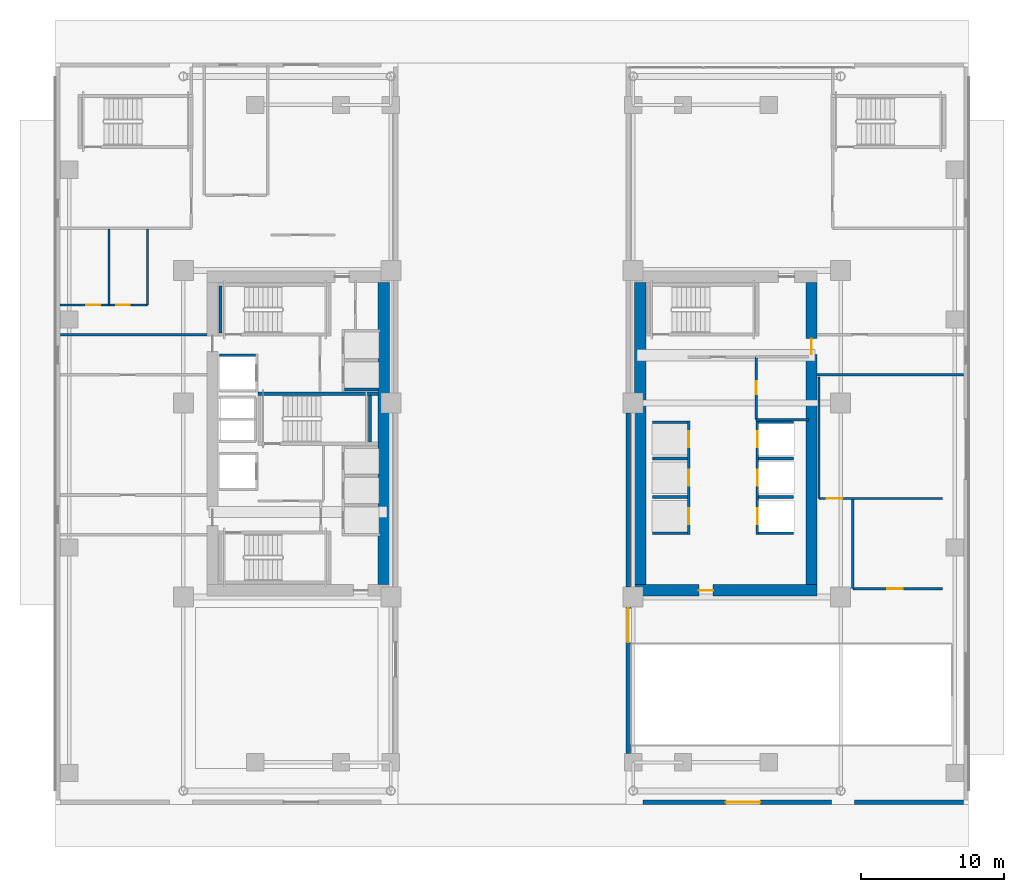
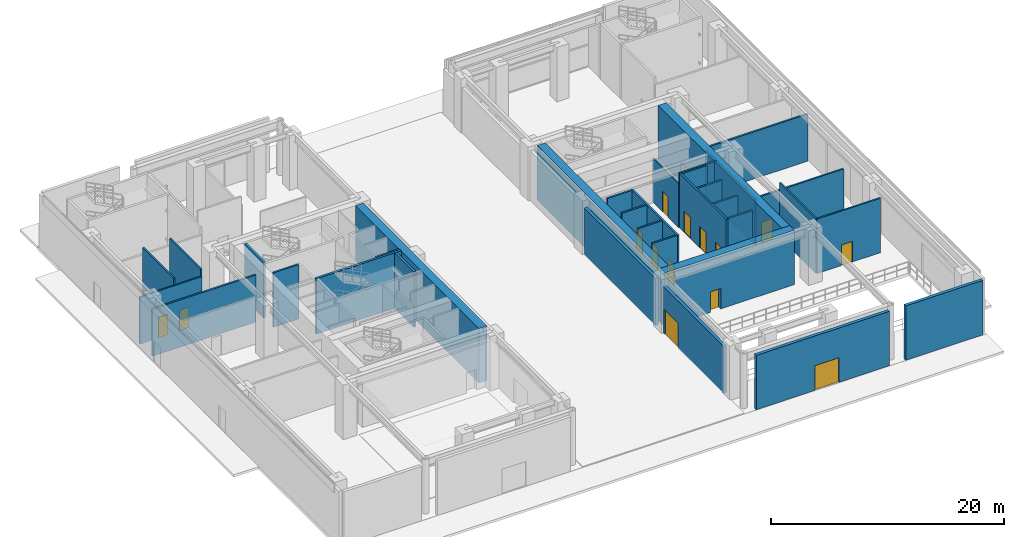
# One storey, part 6 of 17: 34 walls, 15 doors, 15 openings.
"""IFC4 building model written with IfcOpenShell, lengths in metres."""

from ifc_helpers import new_model, si_unit, direction, frame, frame_2d, origin, place, context, subcontext, project, spatial, rectangle, extrude, source, transform, mapped, material, layer, layer_set, type_object, element, fill, save


model = new_model("IFC4")

# Units and contexts
model_context = context("Model", 3, precision=1e-05, world=origin(), true_north=direction((0.0, 1.0)))
body_context = subcontext(model_context, "Body", "Model", "MODEL_VIEW")
ifc_project = project(units=[si_unit("LENGTHUNIT", "METRE"), si_unit("AREAUNIT", "SQUARE_METRE"), si_unit("VOLUMEUNIT", "CUBIC_METRE"), si_unit("PLANEANGLEUNIT", "RADIAN"), si_unit("MASSUNIT", "GRAM", prefix="KILO")], contexts=[model_context])

# Site, building, storey
site_placement = place(None, origin())
site = spatial("IfcSite", under=ifc_project, at=site_placement, CompositionType="ELEMENT")
building_placement = place(site_placement, origin())
building = spatial("IfcBuilding", under=site, at=building_placement, Name="Ocotamira Hotel", CompositionType="ELEMENT")
storey_placement = place(building_placement, origin())
storey = spatial("IfcBuildingStorey", under=building, at=storey_placement, Name="L01", CompositionType="ELEMENT", Elevation=0.0)

# Wall
ifc_material_1 = material(Name="Concrete C60/75", Category="concrete")
ifc_layer_1 = layer(ifc_material_1, 0.800048828125)
ifc_layer_set_1 = layer_set([ifc_layer_1], Name="Concrete C60/75")
wall_type_1 = type_object("IfcWallType", Name="WL-CORE-800", PredefinedType="SHEAR", material=ifc_layer_set_1)
wall_1_placement = place(storey_placement, frame((23.0, 15.39990234375, 0.0), z_axis=(0.0, 0.0, 1.0), x_axis=(0.0, 1.0, 0.0)))
element("IfcWall", 1, at=wall_1_placement, inside=storey, type_object=wall_type_1, Name="L01 Shear Core Wall WCORE-E", PredefinedType="SHEAR", context=body_context, shape_type="SweptSolid", body=[
    extrude(rectangle(XDim=21.2001953125, YDim=0.800048828125, at=frame_2d((10.60009765625, 0.0))), origin(), (0.0, 0.0, 1.0), 5.7099609375),
])

# Wall, opening, door
wall_2_placement = place(storey_placement, frame((40.60009765625, 15.0, 0.0), z_axis=(0.0, 0.0, 1.0), x_axis=(1.0, 0.0, 0.0)))
wall_2 = element("IfcWall", 2, at=wall_2_placement, inside=storey, type_object=wall_type_1, Name="L01 Shear Core Wall ECORE-S", PredefinedType="SHEAR", context=body_context, shape_type="SweptSolid", body=[
    extrude(rectangle(XDim=12.7998046875, YDim=0.800048828125, at=frame_2d((6.39990234375, 0.0))), origin(), (0.0, 0.0, 1.0), 5.7099609375),
])
opening_1_placement = place(wall_2_placement, frame((4.5, 0.0, 0.0)))
opening_1 = element("IfcOpeningElement", 3, at=opening_1_placement, cuts=wall_2, Name="Opening D-FR2", PredefinedType="OPENING", context=body_context, shape_type="SweptSolid", body=[
    extrude(rectangle(XDim=1.0, YDim=2.14990234375, at=frame_2d((0.5, 1.074951171875))), frame((0.0, 0.41015625, 0.0), z_axis=(0.0, -1.0, 0.0), x_axis=(1.0, 0.0, 0.0)), (0.0, 0.0, 1.0), 0.820068359375),
])
ifc_material_2 = material(Name="Fire-rated acoustic timber-veneer door", Category="wood")
door_type_1 = type_object("IfcDoorType", Name="DR-FIRE-1000", OperationType="NOTDEFINED", PredefinedType="DOOR", material=ifc_material_2)
shared_shape_1 = source(origin(), body_context, "Body", "SweptSolid", [
    extrude(rectangle(XDim=1.0, YDim=2.14990234375, at=frame_2d((0.5, 1.074951171875))), frame((0.0, 0.02490234375, 0.0), z_axis=(0.0, -1.0, 0.0), x_axis=(1.0, 0.0, 0.0)), (0.0, 0.0, 1.0), 0.050048828125),
])
door_1_placement = place(opening_1_placement, origin())
door_1 = element("IfcDoor", 4, at=door_1_placement, inside=storey, type_object=door_type_1, Name="L01 Door ID-L01-ELOB-S-D [ID-L01-ELOB-S-D]", OperationType="SINGLE_SWING_RIGHT", OverallHeight=2.14990234375, OverallWidth=1.0, PredefinedType="DOOR", context=body_context, shape_type="MappedRepresentation", body=[
    mapped(shared_shape_1, transform((0.0, 0.0, 0.0), scale=1.0)),
])
fill(opening_1, door_1)

# Wall
wall_3_placement = place(storey_placement, frame((41.0, 15.39990234375, 0.0), z_axis=(0.0, 0.0, 1.0), x_axis=(0.0, 1.0, 0.0)))
element("IfcWall", 5, at=wall_3_placement, inside=storey, type_object=wall_type_1, Name="L01 Shear Core Wall ECORE-W", PredefinedType="SHEAR", context=body_context, shape_type="SweptSolid", body=[
    extrude(rectangle(XDim=21.2001953125, YDim=0.800048828125, at=frame_2d((10.60009765625, 0.0))), origin(), (0.0, 0.0, 1.0), 5.7099609375),
])

# Wall, opening, door
wall_4_placement = place(storey_placement, frame((53.0, 15.39990234375, 0.0), z_axis=(0.0, 0.0, 1.0), x_axis=(0.0, 1.0, 0.0)))
wall_4 = element("IfcWall", 6, at=wall_4_placement, inside=storey, type_object=wall_type_1, Name="L01 Shear Core Wall ECORE-E", PredefinedType="SHEAR", context=body_context, shape_type="SweptSolid", body=[
    extrude(rectangle(XDim=21.2001953125, YDim=0.800048828125, at=frame_2d((10.60009765625, 0.0))), origin(), (0.0, 0.0, 1.0), 5.7099609375),
])
opening_2_placement = place(wall_4_placement, frame((16.14990234375, 0.0, 0.0)))
opening_2 = element("IfcOpeningElement", 7, at=opening_2_placement, cuts=wall_4, Name="Opening D-FR1", PredefinedType="OPENING", context=body_context, shape_type="SweptSolid", body=[
    extrude(rectangle(XDim=1.10009765625, YDim=2.14990234375, at=frame_2d((0.550048828125, 1.074951171875))), frame((0.0, 0.41015625, 0.0), z_axis=(0.0, -1.0, 0.0), x_axis=(1.0, 0.0, 0.0)), (0.0, 0.0, 1.0), 0.820068359375),
])
door_type_2 = type_object("IfcDoorType", Name="DR-FIRE-1100", OperationType="NOTDEFINED", PredefinedType="DOOR", material=ifc_material_2)
shared_shape_2 = source(origin(), body_context, "Body", "SweptSolid", [
    extrude(rectangle(XDim=1.10009765625, YDim=2.14990234375, at=frame_2d((0.550048828125, 1.074951171875))), frame((0.0, 0.02490234375, 0.0), z_axis=(0.0, -1.0, 0.0), x_axis=(1.0, 0.0, 0.0)), (0.0, 0.0, 1.0), 0.050048828125),
])
door_2_placement = place(opening_2_placement, origin())
door_2 = element("IfcDoor", 8, at=door_2_placement, inside=storey, type_object=door_type_2, Name="L01 Door ID-L01-EXP4-CORED [ID-L01-EXP4-CORED]", OperationType="SINGLE_SWING_LEFT", OverallHeight=2.14990234375, OverallWidth=1.10009765625, PredefinedType="DOOR", context=body_context, shape_type="MappedRepresentation", body=[
    mapped(shared_shape_2, transform((0.0, 0.0, 0.0), scale=1.0)),
])
fill(opening_2, door_2)

# Wall
ifc_material_3 = material(Name="Travertine-clad precast concrete C45/55", Category="masonry")
ifc_layer_2 = layer(ifc_material_3, 0.300048828125)
ifc_layer_set_2 = layer_set([ifc_layer_2], Name="Travertine-clad precast concrete C45/55")
wall_type_2 = type_object("IfcWallType", Name="WL-EXT-POD-300", PredefinedType="SOLIDWALL", material=ifc_layer_set_2)
wall_5_placement = place(storey_placement, frame((63.64990234375, 0.14990234375, 0.0), z_axis=(0.0, 0.0, 1.0), x_axis=(-1.0, 0.0, 0.0)))
element("IfcWall", 9, at=wall_5_placement, inside=storey, type_object=wall_type_2, Name="L01 S-East Podium Wall", PredefinedType="SOLIDWALL", context=body_context, shape_type="SweptSolid", body=[
    extrude(rectangle(XDim=7.64990234375, YDim=0.300048828125, at=frame_2d((3.824951171875, 0.0))), origin(), (0.0, 0.0, 1.0), 5.7099609375),
])

# Wall, opening, door
wall_6_placement = place(storey_placement, frame((54.39990234375, 0.14990234375, 0.0), z_axis=(0.0, 0.0, 1.0), x_axis=(-1.0, 0.0, 0.0)))
wall_6 = element("IfcWall", 10, at=wall_6_placement, inside=storey, type_object=wall_type_2, Name="L01 South-East Entrance Portal Wall", PredefinedType="SOLIDWALL", context=body_context, shape_type="SweptSolid", body=[
    extrude(rectangle(XDim=13.199951171875, YDim=0.300048828125, at=frame_2d((6.60009765625, 0.0))), origin(), (0.0, 0.0, 1.0), 5.7099609375),
])
opening_3_placement = place(wall_6_placement, frame((5.0, 0.0, 0.0)))
opening_3 = element("IfcOpeningElement", 11, at=opening_3_placement, cuts=wall_6, Name="Opening ED-1", PredefinedType="OPENING", context=body_context, shape_type="SweptSolid", body=[
    extrude(rectangle(XDim=2.39990234375, YDim=2.60009765625, at=frame_2d((1.199951171875, 1.300048828125))), frame((0.0, 0.16015625, 0.0), z_axis=(0.0, -1.0, 0.0), x_axis=(1.0, 0.0, 0.0)), (0.0, 0.0, 1.0), 0.320068359375),
])
ifc_material_4 = material(Name="Anodised pale-metal aluminium and glass", Category="aluminium")
door_type_3 = type_object("IfcDoorType", Name="DR-ENT-2400", OperationType="NOTDEFINED", PredefinedType="DOOR", material=ifc_material_4)
shared_shape_3 = source(origin(), body_context, "Body", "SweptSolid", [
    extrude(rectangle(XDim=2.39990234375, YDim=2.60009765625, at=frame_2d((1.199951171875, 1.300048828125))), frame((0.0, 0.02490234375, 0.0), z_axis=(0.0, -1.0, 0.0), x_axis=(1.0, 0.0, 0.0)), (0.0, 0.0, 1.0), 0.050048828125),
])
door_3_placement = place(opening_3_placement, origin())
door_3 = element("IfcDoor", 12, at=door_3_placement, inside=storey, type_object=door_type_3, Name="L01 East Restaurant Entrance Door [ED-L01-ESOUTH]", OperationType="DOUBLE_DOOR_SINGLE_SWING", OverallHeight=2.60009765625, OverallWidth=2.39990234375, PredefinedType="DOOR", context=body_context, shape_type="MappedRepresentation", body=[
    mapped(shared_shape_3, transform((0.0, 0.0, 0.0), scale=1.0)),
])
fill(opening_3, door_3)

wall_7_placement = place(storey_placement, frame((40.14990234375, 3.550048828125, 0.0), z_axis=(0.0, 0.0, 1.0), x_axis=(0.0, 1.0, 0.0)))
wall_7 = element("IfcWall", 13, at=wall_7_placement, inside=storey, type_object=wall_type_2, Name="L01 Giant Arch South Portal Wall AE", PredefinedType="SOLIDWALL", context=body_context, shape_type="SweptSolid", body=[
    extrude(rectangle(XDim=10.39990234375, YDim=0.300048828125, at=frame_2d((5.199951171875, 0.0))), origin(), (0.0, 0.0, 1.0), 4.930908203125),
])
opening_4_placement = place(wall_7_placement, frame((7.800048828125, 0.0, 0.0)))
opening_4 = element("IfcOpeningElement", 14, at=opening_4_placement, cuts=wall_7, Name="Opening ED-1", PredefinedType="OPENING", context=body_context, shape_type="SweptSolid", body=[
    extrude(rectangle(XDim=2.39990234375, YDim=2.60009765625, at=frame_2d((1.199951171875, 1.300048828125))), frame((0.0, 0.16015625, 0.0), z_axis=(0.0, -1.0, 0.0), x_axis=(1.0, 0.0, 0.0)), (0.0, 0.0, 1.0), 0.320068359375),
])
door_4_placement = place(opening_4_placement, origin())
door_4 = element("IfcDoor", 15, at=door_4_placement, inside=storey, type_object=door_type_3, Name="L01 Giant Portal Arch Lobby Entrance AE [ED-L01-ARCH-AE]", OperationType="DOUBLE_DOOR_SINGLE_SWING", OverallHeight=2.60009765625, OverallWidth=2.39990234375, PredefinedType="DOOR", context=body_context, shape_type="MappedRepresentation", body=[
    mapped(shared_shape_3, transform((0.0, 0.0, 0.0), scale=1.0)),
])
fill(opening_4, door_4)

# Walls
wall_8_placement = place(storey_placement, frame((40.14990234375, 15.25, 0.0), z_axis=(0.0, 0.0, 1.0), x_axis=(0.0, 1.0, 0.0)))
element("IfcWall", 16, at=wall_8_placement, inside=storey, type_object=wall_type_2, Name="L01 Giant Arch Core Cheek Wall AE-1", PredefinedType="SOLIDWALL", context=body_context, shape_type="SweptSolid", body=[
    extrude(rectangle(XDim=12.199951171875, YDim=0.300048828125, at=frame_2d((6.10009765625, 0.0))), origin(), (0.0, 0.0, 1.0), 4.930908203125),
])
ifc_material_5 = material(Name="Acoustic double-layer fire gypsum board partition", Category="gypsum")
ifc_layer_3 = layer(ifc_material_5, 0.159912109375)
ifc_layer_set_3 = layer_set([ifc_layer_3], Name="Acoustic double-layer fire gypsum board partition")
wall_type_3 = type_object("IfcWallType", Name="WL-FIRE-160", PredefinedType="PARTITIONING", material=ifc_layer_set_3)
wall_9_placement = place(storey_placement, frame((49.1201171875, 26.969970703125, 0.0), z_axis=(0.0, 0.0, 1.0), x_axis=(1.0, 0.0, 0.0)))
element("IfcWall", 17, at=wall_9_placement, inside=storey, type_object=wall_type_3, Name="L01 Interior Wall PW-L01-EC-NEL-S", PredefinedType="PARTITIONING", context=body_context, shape_type="SweptSolid", body=[
    extrude(rectangle(XDim=3.679931640625, YDim=0.159912109375, at=frame_2d((1.83984375, 0.0))), origin(), (0.0, 0.0, 1.0), 5.7099609375),
])

# Wall, opening, door
wall_10_placement = place(storey_placement, frame((49.1201171875, 26.969970703125, 0.0), z_axis=(0.0, 0.0, 1.0), x_axis=(0.0, 1.0, 0.0)))
wall_10 = element("IfcWall", 18, at=wall_10_placement, inside=storey, type_object=wall_type_3, Name="L01 Interior Wall PW-L01-EC-NEL-W", PredefinedType="PARTITIONING", context=body_context, shape_type="SweptSolid", body=[
    extrude(rectangle(XDim=4.409912109375, YDim=0.159912109375, at=frame_2d((2.205078125, 0.0))), origin(), (0.0, 0.0, 1.0), 4.610107421875),
])
opening_5_placement = place(wall_10_placement, frame((1.800048828125, 0.0, 0.0)))
opening_5 = element("IfcOpeningElement", 19, at=opening_5_placement, cuts=wall_10, Name="Opening D-IN3", PredefinedType="OPENING", context=body_context, shape_type="SweptSolid", body=[
    extrude(rectangle(XDim=0.89990234375, YDim=2.14990234375, at=frame_2d((0.449951171875, 1.074951171875))), frame((0.0, 0.08984375, 0.0), z_axis=(0.0, -1.0, 0.0), x_axis=(1.0, 0.0, 0.0)), (0.0, 0.0, 1.0), 0.179931640625),
])
ifc_material_6 = material(Name="Painted service room door", Category="steel")
door_type_4 = type_object("IfcDoorType", Name="DR-INT-900", OperationType="NOTDEFINED", PredefinedType="DOOR", material=ifc_material_6)
shared_shape_4 = source(origin(), body_context, "Body", "SweptSolid", [
    extrude(rectangle(XDim=0.89990234375, YDim=2.14990234375, at=frame_2d((0.449951171875, 1.074951171875))), frame((0.0, 0.02490234375, 0.0), z_axis=(0.0, -1.0, 0.0), x_axis=(1.0, 0.0, 0.0)), (0.0, 0.0, 1.0), 0.050048828125),
])
door_5_placement = place(opening_5_placement, origin())
door_5 = element("IfcDoor", 20, at=door_5_placement, inside=storey, type_object=door_type_4, Name="L01 Door ID-L01-EC-NEL-D [ID-L01-EC-NEL-D]", OperationType="SINGLE_SWING_RIGHT", OverallHeight=2.14990234375, OverallWidth=0.89990234375, PredefinedType="DOOR", context=body_context, shape_type="MappedRepresentation", body=[
    mapped(shared_shape_4, transform((0.0, 0.0, 0.0), scale=1.0)),
])
fill(opening_5, door_5)

# Wall
wall_11_placement = place(storey_placement, frame((55.89990234375, 15.1201171875, 0.0), z_axis=(0.0, 0.0, 1.0), x_axis=(0.0, 1.0, 0.0)))
element("IfcWall", 21, at=wall_11_placement, inside=storey, type_object=wall_type_3, Name="L01 Interior Wall PW-L01-L01-KIT-W", PredefinedType="PARTITIONING", context=body_context, shape_type="SweptSolid", body=[
    extrude(rectangle(XDim=6.259765625, YDim=0.159912109375, at=frame_2d((3.1298828125, 0.0))), origin(), (0.0, 0.0, 1.0), 5.7099609375),
])

# Wall, opening, door
wall_12_placement = place(storey_placement, frame((55.89990234375, 15.1201171875, 0.0), z_axis=(0.0, 0.0, 1.0), x_axis=(1.0, 0.0, 0.0)))
wall_12 = element("IfcWall", 22, at=wall_12_placement, inside=storey, type_object=wall_type_3, Name="L01 Interior Wall PW-L01-L01-KIT-S", PredefinedType="PARTITIONING", context=body_context, shape_type="SweptSolid", body=[
    extrude(rectangle(XDim=6.300048828125, YDim=0.159912109375, at=frame_2d((3.14990234375, 0.0))), origin(), (0.0, 0.0, 1.0), 5.7099609375),
])
opening_6_placement = place(wall_12_placement, frame((2.39990234375, 0.0, 0.0)))
opening_6 = element("IfcOpeningElement", 23, at=opening_6_placement, cuts=wall_12, Name="Opening D-FR1", PredefinedType="OPENING", context=body_context, shape_type="SweptSolid", body=[
    extrude(rectangle(XDim=1.10009765625, YDim=2.14990234375, at=frame_2d((0.550048828125, 1.074951171875))), frame((0.0, 0.08984375, 0.0), z_axis=(0.0, -1.0, 0.0), x_axis=(1.0, 0.0, 0.0)), (0.0, 0.0, 1.0), 0.179931640625),
])
door_6_placement = place(opening_6_placement, origin())
door_6 = element("IfcDoor", 24, at=door_6_placement, inside=storey, type_object=door_type_2, Name="L01 Door ID-L01-L01-KIT-D [ID-L01-L01-KIT-D]", OperationType="SINGLE_SWING_LEFT", OverallHeight=2.14990234375, OverallWidth=1.10009765625, PredefinedType="DOOR", context=body_context, shape_type="MappedRepresentation", body=[
    mapped(shared_shape_2, transform((0.0, 0.0, 0.0), scale=1.0)),
])
fill(opening_6, door_6)

# Wall
wall_13_placement = place(storey_placement, frame((53.52001953125, 21.449951171875, 0.0), z_axis=(0.0, 0.0, 1.0), x_axis=(0.0, 1.0, 0.0)))
element("IfcWall", 25, at=wall_13_placement, inside=storey, type_object=wall_type_3, Name="L01 Interior Wall PW-L01-L01-DOCK-W", PredefinedType="PARTITIONING", context=body_context, shape_type="SweptSolid", body=[
    extrude(rectangle(XDim=8.5, YDim=0.159912109375, at=frame_2d((4.25, 0.0))), origin(), (0.0, 0.0, 1.0), 4.782958984375),
])

# Wall, opening, door
wall_14_placement = place(storey_placement, frame((53.52001953125, 21.449951171875, 0.0), z_axis=(0.0, 0.0, 1.0), x_axis=(1.0, 0.0, 0.0)))
wall_14 = element("IfcWall", 26, at=wall_14_placement, inside=storey, type_object=wall_type_3, Name="L01 Interior Wall PW-L01-L01-DOCK-S", PredefinedType="PARTITIONING", context=body_context, shape_type="SweptSolid", body=[
    extrude(rectangle(XDim=8.679931640625, YDim=0.159912109375, at=frame_2d((4.33984375, 0.0))), origin(), (0.0, 0.0, 1.0), 4.930908203125),
])
opening_7_placement = place(wall_14_placement, frame((0.550048828125, 0.0, 0.0)))
opening_7 = element("IfcOpeningElement", 27, at=opening_7_placement, cuts=wall_14, Name="Opening D-FR1", PredefinedType="OPENING", context=body_context, shape_type="SweptSolid", body=[
    extrude(rectangle(XDim=1.10009765625, YDim=2.14990234375, at=frame_2d((0.550048828125, 1.074951171875))), frame((0.0, 0.08984375, 0.0), z_axis=(0.0, -1.0, 0.0), x_axis=(1.0, 0.0, 0.0)), (0.0, 0.0, 1.0), 0.179931640625),
])
door_7_placement = place(opening_7_placement, origin())
door_7 = element("IfcDoor", 28, at=door_7_placement, inside=storey, type_object=door_type_2, Name="L01 Door ID-L01-L01-DOCK-D [ID-L01-L01-DOCK-D]", OperationType="SINGLE_SWING_RIGHT", OverallHeight=2.14990234375, OverallWidth=1.10009765625, PredefinedType="DOOR", context=body_context, shape_type="MappedRepresentation", body=[
    mapped(shared_shape_2, transform((0.0, 0.0, 0.0), scale=1.0)),
])
fill(opening_7, door_7)

# Walls
ifc_material_7 = material(Name="Acoustic hospitality gypsum board partition", Category="gypsum")
ifc_layer_4 = layer(ifc_material_7, 0.14990234375)
ifc_layer_set_4 = layer_set([ifc_layer_4], Name="Acoustic hospitality gypsum board partition")
wall_type_4 = type_object("IfcWallType", Name="WL-PART-150", PredefinedType="PARTITIONING", material=ifc_layer_set_4)
for number, where, z_axis, x_axis, name in (
    (29, (3.72998046875, 35.02001953125, 0.0), (0.0, 0.0, 1.0), (0.0, 1.0, 0.0), "L01 Interior Wall PW-L01-L01-WC-DIV"),
    (30, (6.429931640625, 35.02001953125, 0.0), (0.0, 0.0, 1.0), (0.0, 1.0, 0.0), "L01 Interior Wall PW-L01-L01-WC-E"),
):
    element("IfcWall", number, at=place(storey_placement, frame(where, z_axis=z_axis, x_axis=x_axis)), inside=storey, type_object=wall_type_4, Name=name, PredefinedType="PARTITIONING", context=body_context, shape_type="SweptSolid", body=[
        extrude(rectangle(XDim=5.31005859375, YDim=0.14990234375, at=frame_2d((2.655029296875, 0.0))), origin(), (0.0, 0.0, 1.0), 5.7099609375),
    ])

# Wall, openings, doors
wall_15_placement = place(storey_placement, frame((0.300048828125, 35.02001953125, 0.0), z_axis=(0.0, 0.0, 1.0), x_axis=(1.0, 0.0, 0.0)))
wall_15 = element("IfcWall", 31, at=wall_15_placement, inside=storey, type_object=wall_type_4, Name="L01 Interior Wall PW-L01-L01-WC-S", PredefinedType="PARTITIONING", context=body_context, shape_type="SweptSolid", body=[
    extrude(rectangle(XDim=6.1298828125, YDim=0.14990234375, at=frame_2d((3.06494140625, 0.0))), origin(), (0.0, 0.0, 1.0), 4.930908203125),
])
opening_8_placement = place(wall_15_placement, frame((1.85009765625, 0.0, 0.0)))
opening_8 = element("IfcOpeningElement", 32, at=opening_8_placement, cuts=wall_15, Name="Opening D-SV4", PredefinedType="OPENING", context=body_context, shape_type="SweptSolid", body=[
    extrude(rectangle(XDim=0.9599609375, YDim=2.14990234375, at=frame_2d((0.47998046875, 1.074951171875))), frame((0.0, 0.0849609375, 0.0), z_axis=(0.0, -1.0, 0.0), x_axis=(1.0, 0.0, 0.0)), (0.0, 0.0, 1.0), 0.169921875),
])
opening_9_placement = place(wall_15_placement, frame((3.949951171875, 0.0, 0.0)))
opening_9 = element("IfcOpeningElement", 33, at=opening_9_placement, cuts=wall_15, Name="Opening D-SV4", PredefinedType="OPENING", context=body_context, shape_type="SweptSolid", body=[
    extrude(rectangle(XDim=0.9599609375, YDim=2.14990234375, at=frame_2d((0.47998046875, 1.074951171875))), frame((0.0, 0.0849609375, 0.0), z_axis=(0.0, -1.0, 0.0), x_axis=(1.0, 0.0, 0.0)), (0.0, 0.0, 1.0), 0.169921875),
])
ifc_material_8 = material(Name="Fire-rated accessible walnut salon door", Category="wood")
door_type_5 = type_object("IfcDoorType", Name="DR-SERV-960", OperationType="NOTDEFINED", PredefinedType="DOOR", material=ifc_material_8)
shared_shape_5 = source(origin(), body_context, "Body", "SweptSolid", [
    extrude(rectangle(XDim=0.9599609375, YDim=2.14990234375, at=frame_2d((0.47998046875, 1.074951171875))), frame((0.0, 0.02490234375, 0.0), z_axis=(0.0, -1.0, 0.0), x_axis=(1.0, 0.0, 0.0)), (0.0, 0.0, 1.0), 0.050048828125),
])
door_8_placement = place(opening_8_placement, origin())
door_8 = element("IfcDoor", 34, at=door_8_placement, inside=storey, type_object=door_type_5, Name="L01 Door ID-L01-L01-WC-D [ID-L01-L01-WC-D]", OperationType="SINGLE_SWING_RIGHT", OverallHeight=2.14990234375, OverallWidth=0.9599609375, PredefinedType="DOOR", context=body_context, shape_type="MappedRepresentation", body=[
    mapped(shared_shape_5, transform((0.0, 0.0, 0.0), scale=1.0)),
])
fill(opening_8, door_8)
door_9_placement = place(opening_9_placement, origin())
door_9 = element("IfcDoor", 35, at=door_9_placement, inside=storey, type_object=door_type_5, Name="L01 Door ID-L01-L01-AWC-D [ID-L01-L01-AWC-D]", OperationType="SINGLE_SWING_LEFT", OverallHeight=2.14990234375, OverallWidth=0.9599609375, PredefinedType="DOOR", context=body_context, shape_type="MappedRepresentation", body=[
    mapped(shared_shape_5, transform((0.0, 0.0, 0.0), scale=1.0)),
])
fill(opening_9, door_9)

ifc_material_9 = material(Name="Fire-rated gypsum shaftliner board assembly", Category="gypsum")
ifc_layer_5 = layer(ifc_material_9, 0.179931640625)
ifc_layer_set_5 = layer_set([ifc_layer_5], Name="Fire-rated gypsum shaftliner board assembly")
wall_type_5 = type_object("IfcWallType", Name="WL-SHAFT-180", PredefinedType="SOLIDWALL", material=ifc_layer_set_5)
wall_16_placement = place(storey_placement, frame((49.2099609375, 18.919921875, 0.0), z_axis=(0.0, 0.0, 1.0), x_axis=(0.0, 1.0, 0.0)))
wall_16 = element("IfcWall", 36, at=wall_16_placement, inside=storey, type_object=wall_type_5, Name="L01 Interior Wall PW-L01-LFW-BANK-low-F", PredefinedType="SOLIDWALL", context=body_context, shape_type="SweptSolid", body=[
    extrude(rectangle(XDim=7.9599609375, YDim=0.179931640625, at=frame_2d((3.97998046875, 0.0))), origin(), (0.0, 0.0, 1.0), 5.7099609375),
])
opening_10_placement = place(wall_16_placement, frame((0.72998046875, 0.0, 0.0)))
opening_10 = element("IfcOpeningElement", 37, at=opening_10_placement, cuts=wall_16, Name="Opening LD-LF-P1", PredefinedType="OPENING", context=body_context, shape_type="SweptSolid", body=[
    extrude(rectangle(XDim=1.10009765625, YDim=2.199951171875, at=frame_2d((0.550048828125, 1.10009765625))), frame((0.0, 0.10009765625, 0.0), z_axis=(0.0, -1.0, 0.0), x_axis=(1.0, 0.0, 0.0)), (0.0, 0.0, 1.0), 0.199951171875),
])
opening_11_placement = place(wall_16_placement, frame((3.429931640625, 0.0, 0.0)))
opening_11 = element("IfcOpeningElement", 38, at=opening_11_placement, cuts=wall_16, Name="Opening LD-LF-P2", PredefinedType="OPENING", context=body_context, shape_type="SweptSolid", body=[
    extrude(rectangle(XDim=1.10009765625, YDim=2.199951171875, at=frame_2d((0.550048828125, 1.10009765625))), frame((0.0, 0.10009765625, 0.0), z_axis=(0.0, -1.0, 0.0), x_axis=(1.0, 0.0, 0.0)), (0.0, 0.0, 1.0), 0.199951171875),
])
opening_12_placement = place(wall_16_placement, frame((6.1298828125, 0.0, 0.0)))
opening_12 = element("IfcOpeningElement", 39, at=opening_12_placement, cuts=wall_16, Name="Opening LD-LF-P3", PredefinedType="OPENING", context=body_context, shape_type="SweptSolid", body=[
    extrude(rectangle(XDim=1.10009765625, YDim=2.199951171875, at=frame_2d((0.550048828125, 1.10009765625))), frame((0.0, 0.10009765625, 0.0), z_axis=(0.0, -1.0, 0.0), x_axis=(1.0, 0.0, 0.0)), (0.0, 0.0, 1.0), 0.199951171875),
])
ifc_material_10 = material(Name="Brushed pale-metal stainless elevator landing door", Category="steel")
door_type_6 = type_object("IfcDoorType", Name="DR-LIFT-1100", OperationType="NOTDEFINED", PredefinedType="DOOR", material=ifc_material_10)
shared_shape_6 = source(origin(), body_context, "Body", "SweptSolid", [
    extrude(rectangle(XDim=1.10009765625, YDim=2.199951171875, at=frame_2d((0.550048828125, 1.10009765625))), frame((0.0, 0.02490234375, 0.0), z_axis=(0.0, -1.0, 0.0), x_axis=(1.0, 0.0, 0.0)), (0.0, 0.0, 1.0), 0.050048828125),
])
door_10_placement = place(opening_10_placement, origin())
door_10 = element("IfcDoor", 40, at=door_10_placement, inside=storey, type_object=door_type_6, Name="L01 Landing Door LD-LF-P1 [ID-L01-LD-LF-P1]", OperationType="DOUBLE_DOOR_SLIDING", OverallHeight=2.199951171875, OverallWidth=1.10009765625, PredefinedType="DOOR", context=body_context, shape_type="MappedRepresentation", body=[
    mapped(shared_shape_6, transform((0.0, 0.0, 0.0), scale=1.0)),
])
fill(opening_10, door_10)
door_11_placement = place(opening_11_placement, origin())
door_11 = element("IfcDoor", 41, at=door_11_placement, inside=storey, type_object=door_type_6, Name="L01 Landing Door LD-LF-P2 [ID-L01-LD-LF-P2]", OperationType="DOUBLE_DOOR_SLIDING", OverallHeight=2.199951171875, OverallWidth=1.10009765625, PredefinedType="DOOR", context=body_context, shape_type="MappedRepresentation", body=[
    mapped(shared_shape_6, transform((0.0, 0.0, 0.0), scale=1.0)),
])
fill(opening_11, door_11)
door_12_placement = place(opening_12_placement, origin())
door_12 = element("IfcDoor", 42, at=door_12_placement, inside=storey, type_object=door_type_6, Name="L01 Landing Door LD-LF-P3 [ID-L01-LD-LF-P3]", OperationType="DOUBLE_DOOR_SLIDING", OverallHeight=2.199951171875, OverallWidth=1.10009765625, PredefinedType="DOOR", context=body_context, shape_type="MappedRepresentation", body=[
    mapped(shared_shape_6, transform((0.0, 0.0, 0.0), scale=1.0)),
])
fill(opening_12, door_12)

# Walls
for number, where, z_axis, x_axis, name in (
    (43, (49.300048828125, 19.010009765625, 0.0), (0.0, 0.0, 1.0), (1.0, 0.0, 0.0), "L01 Interior Wall PW-L01-LFW-BANK-low-S"),
    (44, (49.300048828125, 26.7900390625, 0.0), (0.0, 0.0, 1.0), (1.0, 0.0, 0.0), "L01 Interior Wall PW-L01-LFW-BANK-low-N"),
    (45, (49.300048828125, 21.550048828125, 0.0), (0.0, 0.0, 1.0), (1.0, 0.0, 0.0), "L01 Interior Wall PW-L01-LFW-DIV-LF-P1"),
    (46, (49.300048828125, 24.25, 0.0), (0.0, 0.0, 1.0), (1.0, 0.0, 0.0), "L01 Interior Wall PW-L01-LFW-DIV-LF-P2"),
):
    element("IfcWall", number, at=place(storey_placement, frame(where, z_axis=z_axis, x_axis=x_axis)), inside=storey, type_object=wall_type_5, Name=name, PredefinedType="SOLIDWALL", context=body_context, shape_type="SweptSolid", body=[
        extrude(rectangle(XDim=2.449951171875, YDim=0.179931640625, at=frame_2d((1.22509765625, 0.0))), origin(), (0.0, 0.0, 1.0), 5.7099609375),
    ])

# Wall, openings, doors
wall_17_placement = place(storey_placement, frame((44.389892578125, 18.919921875, 0.0), z_axis=(0.0, 0.0, 1.0), x_axis=(0.0, 1.0, 0.0)))
wall_17 = element("IfcWall", 47, at=wall_17_placement, inside=storey, type_object=wall_type_5, Name="L01 Interior Wall PW-L01-LFW-BANK-mid-F", PredefinedType="SOLIDWALL", context=body_context, shape_type="SweptSolid", body=[
    extrude(rectangle(XDim=7.9599609375, YDim=0.179931640625, at=frame_2d((3.97998046875, 0.0))), origin(), (0.0, 0.0, 1.0), 5.7099609375),
])
opening_13_placement = place(wall_17_placement, frame((0.72998046875, 0.0, 0.0)))
opening_13 = element("IfcOpeningElement", 48, at=opening_13_placement, cuts=wall_17, Name="Opening LD-LF-P4", PredefinedType="OPENING", context=body_context, shape_type="SweptSolid", body=[
    extrude(rectangle(XDim=1.10009765625, YDim=2.199951171875, at=frame_2d((0.550048828125, 1.10009765625))), frame((0.0, 0.10009765625, 0.0), z_axis=(0.0, -1.0, 0.0), x_axis=(1.0, 0.0, 0.0)), (0.0, 0.0, 1.0), 0.199951171875),
])
opening_14_placement = place(wall_17_placement, frame((3.429931640625, 0.0, 0.0)))
opening_14 = element("IfcOpeningElement", 49, at=opening_14_placement, cuts=wall_17, Name="Opening LD-LF-P5", PredefinedType="OPENING", context=body_context, shape_type="SweptSolid", body=[
    extrude(rectangle(XDim=1.10009765625, YDim=2.199951171875, at=frame_2d((0.550048828125, 1.10009765625))), frame((0.0, 0.10009765625, 0.0), z_axis=(0.0, -1.0, 0.0), x_axis=(1.0, 0.0, 0.0)), (0.0, 0.0, 1.0), 0.199951171875),
])
opening_15_placement = place(wall_17_placement, frame((6.1298828125, 0.0, 0.0)))
opening_15 = element("IfcOpeningElement", 50, at=opening_15_placement, cuts=wall_17, Name="Opening LD-LF-P6", PredefinedType="OPENING", context=body_context, shape_type="SweptSolid", body=[
    extrude(rectangle(XDim=1.10009765625, YDim=2.199951171875, at=frame_2d((0.550048828125, 1.10009765625))), frame((0.0, 0.10009765625, 0.0), z_axis=(0.0, -1.0, 0.0), x_axis=(1.0, 0.0, 0.0)), (0.0, 0.0, 1.0), 0.199951171875),
])
door_13_placement = place(opening_13_placement, origin())
door_13 = element("IfcDoor", 51, at=door_13_placement, inside=storey, type_object=door_type_6, Name="L01 Landing Door LD-LF-P4 [ID-L01-LD-LF-P4]", OperationType="DOUBLE_DOOR_SLIDING", OverallHeight=2.199951171875, OverallWidth=1.10009765625, PredefinedType="DOOR", context=body_context, shape_type="MappedRepresentation", body=[
    mapped(shared_shape_6, transform((0.0, 0.0, 0.0), scale=1.0)),
])
fill(opening_13, door_13)
door_14_placement = place(opening_14_placement, origin())
door_14 = element("IfcDoor", 52, at=door_14_placement, inside=storey, type_object=door_type_6, Name="L01 Landing Door LD-LF-P5 [ID-L01-LD-LF-P5]", OperationType="DOUBLE_DOOR_SLIDING", OverallHeight=2.199951171875, OverallWidth=1.10009765625, PredefinedType="DOOR", context=body_context, shape_type="MappedRepresentation", body=[
    mapped(shared_shape_6, transform((0.0, 0.0, 0.0), scale=1.0)),
])
fill(opening_14, door_14)
door_15_placement = place(opening_15_placement, origin())
door_15 = element("IfcDoor", 53, at=door_15_placement, inside=storey, type_object=door_type_6, Name="L01 Landing Door LD-LF-P6 [ID-L01-LD-LF-P6]", OperationType="DOUBLE_DOOR_SLIDING", OverallHeight=2.199951171875, OverallWidth=1.10009765625, PredefinedType="DOOR", context=body_context, shape_type="MappedRepresentation", body=[
    mapped(shared_shape_6, transform((0.0, 0.0, 0.0), scale=1.0)),
])
fill(opening_15, door_15)

# Walls
for number, where, z_axis, x_axis, name in (
    (54, (41.85009765625, 19.010009765625, 0.0), (0.0, 0.0, 1.0), (1.0, 0.0, 0.0), "L01 Interior Wall PW-L01-LFW-BANK-mid-S"),
    (55, (41.85009765625, 26.7900390625, 0.0), (0.0, 0.0, 1.0), (1.0, 0.0, 0.0), "L01 Interior Wall PW-L01-LFW-BANK-mid-N"),
    (56, (41.85009765625, 21.550048828125, 0.0), (0.0, 0.0, 1.0), (1.0, 0.0, 0.0), "L01 Interior Wall PW-L01-LFW-DIV-LF-P4"),
    (57, (41.85009765625, 24.25, 0.0), (0.0, 0.0, 1.0), (1.0, 0.0, 0.0), "L01 Interior Wall PW-L01-LFW-DIV-LF-P5"),
):
    element("IfcWall", number, at=place(storey_placement, frame(where, z_axis=z_axis, x_axis=x_axis)), inside=storey, type_object=wall_type_5, Name=name, PredefinedType="SOLIDWALL", context=body_context, shape_type="SweptSolid", body=[
        extrude(rectangle(XDim=2.449951171875, YDim=0.179931640625, at=frame_2d((1.22509765625, 0.0))), origin(), (0.0, 0.0, 1.0), 5.7099609375),
    ])
wall_18_placement = place(storey_placement, frame((20.25, 29.090087890625, 0.0), z_axis=(0.0, 0.0, 1.0), x_axis=(1.0, 0.0, 0.0)))
element("IfcWall", 58, at=wall_18_placement, inside=storey, type_object=wall_type_5, Name="L01 Interior Wall PW-L01-LFW-BANK-obs-S", PredefinedType="SOLIDWALL", context=body_context, shape_type="SweptSolid", body=[
    extrude(rectangle(XDim=2.360107421875, YDim=0.179931640625, at=frame_2d((1.18017578125, 0.0))), origin(), (0.0, 0.0, 1.0), 5.7099609375),
])
wall_19_placement = place(storey_placement, frame((11.5, 31.489990234375, 0.0), z_axis=(0.0, 0.0, 1.0), x_axis=(1.0, 0.0, 0.0)))
element("IfcWall", 59, at=wall_19_placement, inside=storey, type_object=wall_type_5, Name="L01 Interior Wall PW-L01-LFW-LF-FSAE2-N", PredefinedType="SOLIDWALL", context=body_context, shape_type="SweptSolid", body=[
    extrude(rectangle(XDim=2.5, YDim=0.179931640625, at=frame_2d((1.25, 0.0))), origin(), (0.0, 0.0, 1.0), 5.7099609375),
])
for number, where, z_axis, x_axis, name in (
    (60, (0.35009765625, 32.93994140625, 0.0), (0.0, 0.0, 1.0), (1.0, 0.0, 0.0), "L01 Interior Wall PW-L01-L01-EXP2-N"),
    (61, (53.39990234375, 30.110107421875, 0.0), (0.0, 0.0, 1.0), (1.0, 0.0, 0.0), "L01 Interior Wall PW-L01-L01-EXP4-S"),
):
    element("IfcWall", number, at=place(storey_placement, frame(where, z_axis=z_axis, x_axis=x_axis)), inside=storey, type_object=wall_type_5, Name=name, PredefinedType="SOLIDWALL", context=body_context, shape_type="SweptSolid", body=[
        extrude(rectangle(XDim=10.25, YDim=0.179931640625, at=frame_2d((5.125, 0.0))), origin(), (0.0, 0.0, 1.0), 4.930908203125),
    ])
ifc_material_11 = material(Name="Concrete C50/60", Category="concrete")
ifc_layer_6 = layer(ifc_material_11, 0.219970703125)
ifc_layer_set_6 = layer_set([ifc_layer_6], Name="Concrete C50/60")
wall_type_6 = type_object("IfcWallType", Name="WL-STAIR-220", PredefinedType="SHEAR", material=ifc_layer_set_6)
wall_20_placement = place(storey_placement, frame((11.56005859375, 33.050048828125, 0.0), z_axis=(0.0, 0.0, 1.0), x_axis=(0.0, 1.0, 0.0)))
element("IfcWall", 62, at=wall_20_placement, inside=storey, type_object=wall_type_6, Name="L01 Stair Shaft Structural Wall ST-2-W", PredefinedType="SHEAR", context=body_context, shape_type="SweptSolid", body=[
    extrude(rectangle(XDim=3.280029296875, YDim=0.219970703125, at=frame_2d((1.64013671875, 0.0))), origin(), (0.0, 0.0, 1.0), 5.800048828125),
])
wall_21_placement = place(storey_placement, frame((14.179931640625, 28.7900390625, 0.0), z_axis=(0.0, 0.0, 1.0), x_axis=(1.0, 0.0, 0.0)))
element("IfcWall", 63, at=wall_21_placement, inside=storey, type_object=wall_type_6, Name="L01 Stair Shaft Structural Wall ST-3-N", PredefinedType="SHEAR", context=body_context, shape_type="SweptSolid", body=[
    extrude(rectangle(XDim=8.420166015625, YDim=0.219970703125, at=frame_2d((4.2099609375, 0.0))), origin(), (0.0, 0.0, 1.0), 5.800048828125),
])
wall_22_placement = place(storey_placement, frame((22.030029296875, 25.39990234375, 0.0), z_axis=(0.0, 0.0, 1.0), x_axis=(0.0, 1.0, 0.0)))
element("IfcWall", 64, at=wall_22_placement, inside=storey, type_object=wall_type_6, Name="L01 Stair Shaft Structural Wall ST-3-E", PredefinedType="SHEAR", context=body_context, shape_type="SweptSolid", body=[
    extrude(rectangle(XDim=3.280029296875, YDim=0.219970703125, at=frame_2d((1.64013671875, 0.0))), origin(), (0.0, 0.0, 1.0), 5.800048828125),
])

save(model, "model.ifc")
